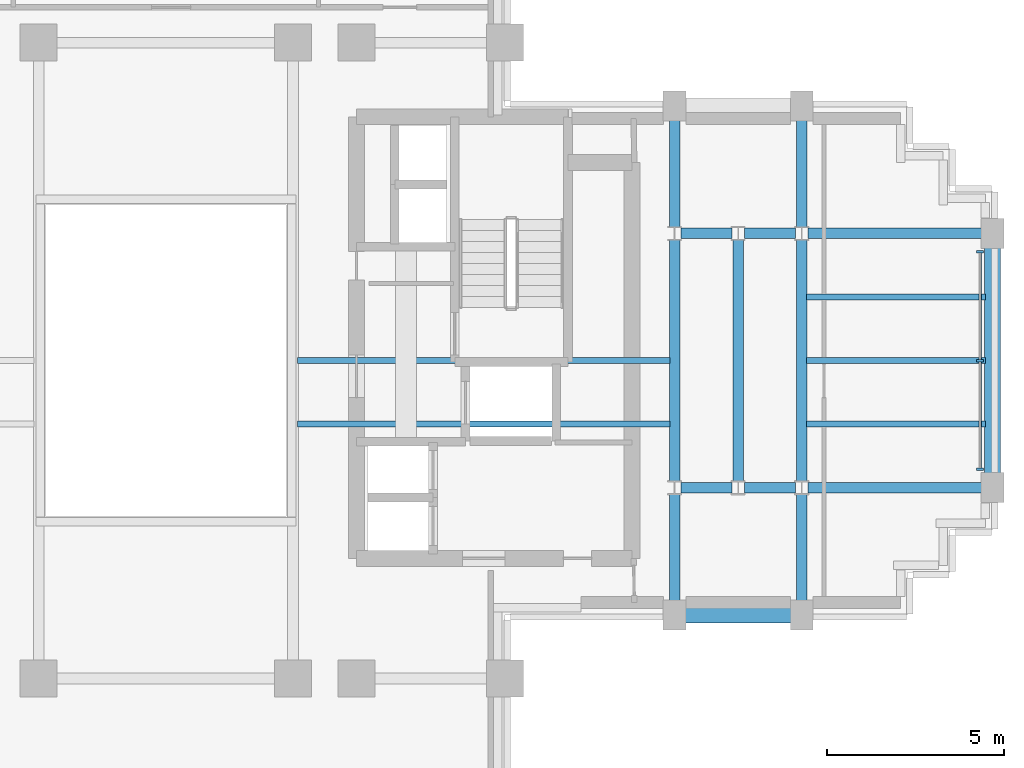
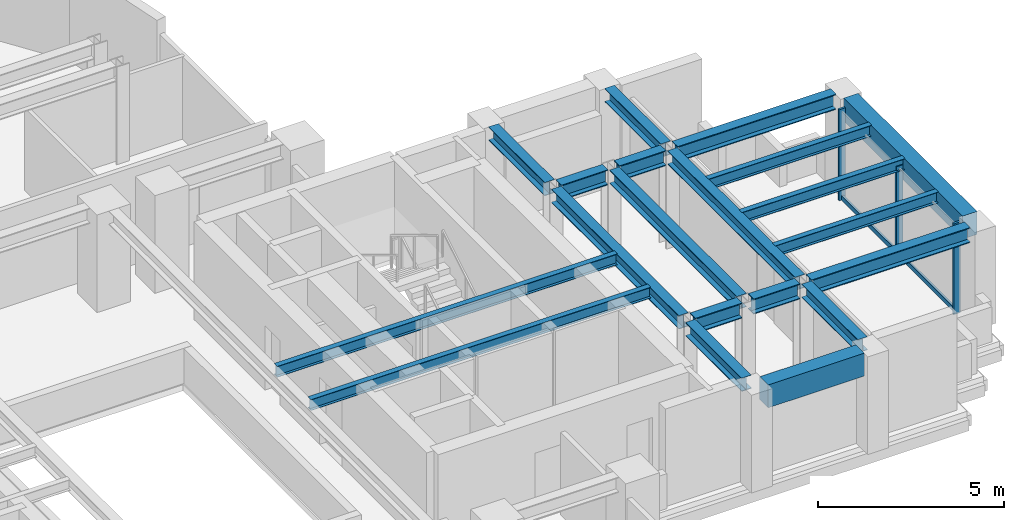
# One storey, part 5 of 13: 20 beams, 5 members, 1 element without a shape of its own.
"""IFC4 building model written with IfcOpenShell, lengths in metres."""

from ifc_helpers import new_model, si_unit, direction, frame, origin, origin_2d, place, context, subcontext, project, spatial, rectangle, i_section, extrude, source, transform, mapped, material, material_profile, profile_set, type_object, element, aggregate, save


model = new_model("IFC4")

# Units and contexts
model_context = context("Model", 3, precision=1e-05, world=origin(), true_north=direction((0.0, 1.0)))
body_context = subcontext(model_context, "Body", "Model", "MODEL_VIEW")
ifc_project = project(units=[si_unit("LENGTHUNIT", "METRE"), si_unit("AREAUNIT", "SQUARE_METRE"), si_unit("VOLUMEUNIT", "CUBIC_METRE"), si_unit("PLANEANGLEUNIT", "RADIAN"), si_unit("MASSUNIT", "GRAM", prefix="KILO")], contexts=[model_context])

# Site, building, storey
site_placement = place(None, origin())
site = spatial("IfcSite", under=ifc_project, at=site_placement, CompositionType="ELEMENT")
building_placement = place(site_placement, origin())
building = spatial("IfcBuilding", under=site, at=building_placement, Name="Keilestroom Media Tower", CompositionType="ELEMENT")
storey_placement = place(building_placement, frame((0.0, 0.0, 138.0)))
storey = spatial("IfcBuildingStorey", under=building, at=storey_placement, Name="L37", CompositionType="ELEMENT", Elevation=138.0)

# Beams
ifc_material_1 = material(Name="Steel S355", Category="steel")
ifc_material_profile_1 = material_profile(ifc_material_1, i_section(OverallWidth=0.169921875, OverallDepth=0.360107421875, WebThickness=0.008056640625, FlangeThickness=0.0126953125, at=origin_2d()), Name="IPE 360")
ifc_profile_set_1 = profile_set([ifc_material_profile_1], Name="Steel S355")
beam_type_1 = type_object("IfcBeamType", Name="Secondary-Floor-Joist-IPE-360", PredefinedType="JOIST", material=ifc_profile_set_1)
shared_shape_1 = source(origin(), body_context, "Body", "SweptSolid", [
    extrude(i_section(OverallWidth=0.169921875, OverallDepth=0.360107421875, WebThickness=0.008056640625, FlangeThickness=0.0126953125, at=origin_2d()), origin(), (0.0, 0.0, 1.0), 10.5400390625),
])
for number, where, z_axis, x_axis, name in (
    (1, (3.72998046875, -1.800048828125, 3.02001953125), (1.0, 0.0, 0.0), (0.0, 1.0, 0.0), "L37 Beam BJ-5 JST-L37-074"),
    (2, (3.72998046875, 0.0, 3.02001953125), (1.0, 0.0, 0.0), (0.0, 1.0, 0.0), "L37 Beam BJ-5 JST-L37-079"),
):
    element("IfcBeam", number, at=place(storey_placement, frame(where, z_axis=z_axis, x_axis=x_axis)), inside=storey, type_object=beam_type_1, Name=name, PredefinedType="JOIST", context=body_context, shape_type="MappedRepresentation", body=[
        mapped(shared_shape_1, transform((0.0, 0.0, 0.0), x_axis=(1.0, 0.0, 0.0), y_axis=(0.0, 1.0, 0.0), z_axis=(0.0, 0.0, 1.0), scale=1.0)),
    ])
ifc_material_2 = material(Name="Precast concrete C40/50", Category="concrete")
ifc_material_profile_2 = material_profile(ifc_material_2, rectangle(XDim=0.449951171875, YDim=0.75, at=origin_2d()), Name="PC 450x750")
ifc_profile_set_2 = profile_set([ifc_material_profile_2], Name="Precast concrete C40/50")
beam_type_2 = type_object("IfcBeamType", Name="Perimeter-Spandrel-Beam-PC-450x750", PredefinedType="SPANDREL", material=ifc_profile_set_2)
shared_shape_2 = source(origin(), body_context, "Body", "SweptSolid", [
    extrude(rectangle(XDim=0.449951171875, YDim=0.75, at=origin_2d()), origin(), (0.0, 0.0, 1.0), 2.989990234375),
])
beam_1_placement = place(storey_placement, frame((14.705078125, -7.199951171875, 2.824951171875), z_axis=(1.0, 0.0, 0.0), x_axis=(0.0, 1.0, 0.0)))
element("IfcBeam", 3, at=beam_1_placement, inside=storey, type_object=beam_type_2, Name="L37 Beam SPB-1 BM-L37-EW-013", PredefinedType="SPANDREL", context=body_context, shape_type="MappedRepresentation", body=[
    mapped(shared_shape_2, transform((0.0, 0.0, 0.0), x_axis=(1.0, 0.0, 0.0), y_axis=(0.0, 1.0, 0.0), z_axis=(0.0, 0.0, 1.0), scale=1.0)),
])
ifc_material_profile_3 = material_profile(ifc_material_1, i_section(OverallWidth=0.300048828125, OverallDepth=0.5, WebThickness=0.012451171875, FlangeThickness=0.028076171875, at=origin_2d()), Name="HEB 500")
ifc_profile_set_3 = profile_set([ifc_material_profile_3], Name="Steel S355")
beam_type_3 = type_object("IfcBeamType", Name="Primary-Structural-Girder-HEB-500", PredefinedType="BEAM", material=ifc_profile_set_3)
shared_shape_3 = source(origin(), body_context, "Body", "SweptSolid", [
    extrude(i_section(OverallWidth=0.300048828125, OverallDepth=0.5, WebThickness=0.012451171875, FlangeThickness=0.028076171875, at=origin_2d()), origin(), (0.0, 0.0, 1.0), 4.91455078125),
])
for number, where, z_axis, x_axis, name in (
    (4, (18.180419921875, -3.60009765625, 2.949951171875), (1.0, 0.0, 0.0), (0.0, 1.0, 0.0), "L37 Beam BG-6 BM-L37-EW-019"),
    (5, (18.180419921875, 3.60009765625, 2.949951171875), (1.0, 0.0, 0.0), (0.0, 1.0, 0.0), "L37 Beam BG-6 BM-L37-EW-025"),
):
    element("IfcBeam", number, at=place(storey_placement, frame(where, z_axis=z_axis, x_axis=x_axis)), inside=storey, type_object=beam_type_3, Name=name, PredefinedType="BEAM", context=body_context, shape_type="MappedRepresentation", body=[
        mapped(shared_shape_3, transform((0.0, 0.0, 0.0), x_axis=(1.0, 0.0, 0.0), y_axis=(0.0, 1.0, 0.0), z_axis=(0.0, 0.0, 1.0), scale=1.0)),
    ])
shared_shape_4 = source(origin(), body_context, "Body", "SweptSolid", [
    extrude(i_section(OverallWidth=0.300048828125, OverallDepth=0.5, WebThickness=0.012451171875, FlangeThickness=0.028076171875, at=origin_2d()), origin(), (0.0, 0.0, 1.0), 1.43896484375),
])
for number, where, z_axis, x_axis, name in (
    (6, (14.58056640625, -3.60009765625, 2.949951171875), (1.0, 0.0, 0.0), (0.0, 1.0, 0.0), "L37 Beam BG-6 BM-L37-EW-017"),
    (7, (16.380615234375, -3.60009765625, 2.949951171875), (1.0, 0.0, 0.0), (0.0, 1.0, 0.0), "L37 Beam BG-6 BM-L37-EW-018"),
    (8, (14.58056640625, 3.60009765625, 2.949951171875), (1.0, 0.0, 0.0), (0.0, 1.0, 0.0), "L37 Beam BG-6 BM-L37-EW-023"),
    (9, (16.380615234375, 3.60009765625, 2.949951171875), (1.0, 0.0, 0.0), (0.0, 1.0, 0.0), "L37 Beam BG-6 BM-L37-EW-024"),
):
    element("IfcBeam", number, at=place(storey_placement, frame(where, z_axis=z_axis, x_axis=x_axis)), inside=storey, type_object=beam_type_3, Name=name, PredefinedType="BEAM", context=body_context, shape_type="MappedRepresentation", body=[
        mapped(shared_shape_4, transform((0.0, 0.0, 0.0), x_axis=(1.0, 0.0, 0.0), y_axis=(0.0, 1.0, 0.0), z_axis=(0.0, 0.0, 1.0), scale=1.0)),
    ])
shared_shape_5 = source(origin(), body_context, "Body", "SweptSolid", [
    extrude(rectangle(XDim=0.449951171875, YDim=0.75, at=origin_2d()), origin(), (0.0, 0.0, 1.0), 6.39013671875),
])
beam_2_placement = place(storey_placement, frame((23.39990234375, -3.195068359375, 2.824951171875), z_axis=(0.0, 1.0, 0.0), x_axis=(-1.0, 0.0, 0.0)))
element("IfcBeam", 10, at=beam_2_placement, inside=storey, type_object=beam_type_2, Name="L37 Beam SPB-1 BM-L37-NS-068", PredefinedType="SPANDREL", context=body_context, shape_type="MappedRepresentation", body=[
    mapped(shared_shape_5, transform((0.0, 0.0, 0.0), x_axis=(1.0, 0.0, 0.0), y_axis=(0.0, 1.0, 0.0), z_axis=(0.0, 0.0, 1.0), scale=1.0)),
])
shared_shape_6 = source(origin(), body_context, "Body", "SweptSolid", [
    extrude(i_section(OverallWidth=0.169921875, OverallDepth=0.360107421875, WebThickness=0.008056640625, FlangeThickness=0.0126953125, at=origin_2d()), origin(), (0.0, 0.0, 1.0), 5.065185546875),
])
for number, where, z_axis, x_axis, name in (
    (11, (18.1298828125, -1.800048828125, 3.02001953125), (1.0, 0.0, 0.0), (0.0, 1.0, 0.0), "L37 Beam BJ-5 JST-L37-075"),
    (12, (18.1298828125, 0.0, 3.02001953125), (1.0, 0.0, 0.0), (0.0, 1.0, 0.0), "L37 Beam BJ-5 JST-L37-080"),
    (13, (18.1298828125, 1.800048828125, 3.02001953125), (1.0, 0.0, 0.0), (0.0, 1.0, 0.0), "L37 Beam BJ-5 JST-L37-085"),
):
    element("IfcBeam", number, at=place(storey_placement, frame(where, z_axis=z_axis, x_axis=x_axis)), inside=storey, type_object=beam_type_1, Name=name, PredefinedType="JOIST", context=body_context, shape_type="MappedRepresentation", body=[
        mapped(shared_shape_6, transform((0.0, 0.0, 0.0), x_axis=(1.0, 0.0, 0.0), y_axis=(0.0, 1.0, 0.0), z_axis=(0.0, 0.0, 1.0), scale=1.0)),
    ])
ifc_material_profile_4 = material_profile(ifc_material_1, i_section(OverallWidth=0.300048828125, OverallDepth=0.43994140625, WebThickness=0.011474609375, FlangeThickness=0.02099609375, at=origin_2d()), Name="HEA 450")
ifc_profile_set_4 = profile_set([ifc_material_profile_4], Name="Steel S355")
beam_type_4 = type_object("IfcBeamType", Name="Primary-Structural-Girder-HEA-450", PredefinedType="BEAM", material=ifc_profile_set_4)
shared_shape_7 = source(origin(), body_context, "Body", "SweptSolid", [
    extrude(i_section(OverallWidth=0.300048828125, OverallDepth=0.43994140625, WebThickness=0.011474609375, FlangeThickness=0.02099609375, at=origin_2d()), origin(), (0.0, 0.0, 1.0), 3.015380859375),
])
for number, where, z_axis, x_axis, name in (
    (14, (14.39990234375, -6.794921875, 2.97998046875), (0.0, 1.0, 0.0), (-1.0, 0.0, 0.0), "L37 Beam BG-11 BM-L37-NS-061"),
    (15, (14.39990234375, 3.779541015625, 2.97998046875), (0.0, 1.0, 0.0), (-1.0, 0.0, 0.0), "L37 Beam BG-11 BM-L37-NS-063"),
    (16, (18.0, -6.794921875, 2.97998046875), (0.0, 1.0, 0.0), (-1.0, 0.0, 0.0), "L37 Beam BG-11 BM-L37-NS-065"),
    (17, (18.0, 3.779541015625, 2.97998046875), (0.0, 1.0, 0.0), (-1.0, 0.0, 0.0), "L37 Beam BG-11 BM-L37-NS-067"),
):
    element("IfcBeam", number, at=place(storey_placement, frame(where, z_axis=z_axis, x_axis=x_axis)), inside=storey, type_object=beam_type_4, Name=name, PredefinedType="BEAM", context=body_context, shape_type="MappedRepresentation", body=[
        mapped(shared_shape_7, transform((0.0, 0.0, 0.0), x_axis=(1.0, 0.0, 0.0), y_axis=(0.0, 1.0, 0.0), z_axis=(0.0, 0.0, 1.0), scale=1.0)),
    ])
shared_shape_8 = source(origin(), body_context, "Body", "SweptSolid", [
    extrude(i_section(OverallWidth=0.300048828125, OverallDepth=0.43994140625, WebThickness=0.011474609375, FlangeThickness=0.02099609375, at=origin_2d()), origin(), (0.0, 0.0, 1.0), 6.8408203125),
])
for number, where, z_axis, x_axis, name in (
    (18, (14.39990234375, -3.42041015625, 2.97998046875), (0.0, 1.0, 0.0), (-1.0, 0.0, 0.0), "L37 Beam BG-11 BM-L37-NS-062"),
    (19, (16.199951171875, -3.42041015625, 2.97998046875), (0.0, 1.0, 0.0), (-1.0, 0.0, 0.0), "L37 Beam BG-11 BM-L37-NS-064"),
    (20, (18.0, -3.42041015625, 2.97998046875), (0.0, 1.0, 0.0), (-1.0, 0.0, 0.0), "L37 Beam BG-11 BM-L37-NS-066"),
):
    element("IfcBeam", number, at=place(storey_placement, frame(where, z_axis=z_axis, x_axis=x_axis)), inside=storey, type_object=beam_type_4, Name=name, PredefinedType="BEAM", context=body_context, shape_type="MappedRepresentation", body=[
        mapped(shared_shape_8, transform((0.0, 0.0, 0.0), x_axis=(1.0, 0.0, 0.0), y_axis=(0.0, 1.0, 0.0), z_axis=(0.0, 0.0, 1.0), scale=1.0)),
    ])

# Curtain wall, members
ifc_material_3 = material(Name="Anodised Aluminium Alloy", Category="aluminium")
curtain_wall_type = type_object("IfcCurtainWallType", Name="Unitised-Curtain-Wall-CW-2", PredefinedType="NOTDEFINED", material=ifc_material_3)
curtain_wall_placement = place(storey_placement, origin())
curtain_wall = element("IfcCurtainWall", 21, at=curtain_wall_placement, inside=storey, type_object=curtain_wall_type, Name="L37 Curtain Wall CW-2 CW-L37-E-1", PredefinedType="NOTDEFINED")
ifc_material_profile_5 = material_profile(ifc_material_3, rectangle(XDim=0.070068359375, YDim=0.199951171875, at=origin_2d()), Name="ALU MULLION 70x200")
ifc_profile_set_5 = profile_set([ifc_material_profile_5], Name="Anodised Aluminium Alloy")
member_type_1 = type_object("IfcMemberType", Name="Curtain-Wall-Mullion-CW-2", PredefinedType="MULLION", material=ifc_profile_set_5)
shared_shape_9 = source(origin(), body_context, "Body", "SweptSolid", [
    extrude(rectangle(XDim=0.070068359375, YDim=0.199951171875, at=origin_2d()), origin(), (0.0, 0.0, 1.0), 2.97998046875),
])
member_1_placement = place(storey_placement, frame((23.050048828125, -3.080078125, 0.0), z_axis=(0.0, 0.0, 1.0), x_axis=(0.0, 1.0, 0.0)))
member_1 = element("IfcMember", 22, at=member_1_placement, type_object=member_type_1, Name="CW-2 Mullion 00", PredefinedType="MULLION", context=body_context, shape_type="MappedRepresentation", body=[
    mapped(shared_shape_9, transform((0.0, 0.0, 0.0), x_axis=(1.0, 0.0, 0.0), y_axis=(0.0, 1.0, 0.0), z_axis=(0.0, 0.0, 1.0), scale=1.0)),
])
member_2_placement = place(storey_placement, frame((23.050048828125, 0.0, 0.0), z_axis=(0.0, 0.0, 1.0), x_axis=(0.0, 1.0, 0.0)))
member_2 = element("IfcMember", 23, at=member_2_placement, type_object=member_type_1, Name="CW-2 Mullion 01", PredefinedType="MULLION", context=body_context, shape_type="MappedRepresentation", body=[
    mapped(shared_shape_9, transform((0.0, 0.0, 0.0), x_axis=(1.0, 0.0, 0.0), y_axis=(0.0, 1.0, 0.0), z_axis=(0.0, 0.0, 1.0), scale=1.0)),
])
member_3_placement = place(storey_placement, frame((23.050048828125, 3.080078125, 0.0), z_axis=(0.0, 0.0, 1.0), x_axis=(0.0, 1.0, 0.0)))
member_3 = element("IfcMember", 24, at=member_3_placement, type_object=member_type_1, Name="CW-2 Mullion 02", PredefinedType="MULLION", context=body_context, shape_type="MappedRepresentation", body=[
    mapped(shared_shape_9, transform((0.0, 0.0, 0.0), x_axis=(1.0, 0.0, 0.0), y_axis=(0.0, 1.0, 0.0), z_axis=(0.0, 0.0, 1.0), scale=1.0)),
])
ifc_material_profile_6 = material_profile(ifc_material_3, rectangle(XDim=0.06494140625, YDim=0.14990234375, at=origin_2d()), Name="ALU TRANSOM 65x150")
ifc_profile_set_6 = profile_set([ifc_material_profile_6], Name="Anodised Aluminium Alloy")
member_type_2 = type_object("IfcMemberType", Name="Curtain-Wall-Transom-CW-2", PredefinedType="USERDEFINED", material=ifc_profile_set_6)
shared_shape_10 = source(origin(), body_context, "Body", "SweptSolid", [
    extrude(rectangle(XDim=0.06494140625, YDim=0.14990234375, at=origin_2d()), origin(), (0.0, 0.0, 1.0), 3.01416015625),
])
member_4_placement = place(storey_placement, frame((23.050048828125, -3.047119140625, 0.074951171875), z_axis=(0.0, 1.0, 0.0), x_axis=(-1.0, 0.0, 0.0)))
member_4 = element("IfcMember", 25, at=member_4_placement, type_object=member_type_2, Name="CW-2 Transom 00.1", ObjectType="TRANSOM", PredefinedType="USERDEFINED", context=body_context, shape_type="MappedRepresentation", body=[
    mapped(shared_shape_10, transform((0.0, 0.0, 0.0), x_axis=(1.0, 0.0, 0.0), y_axis=(0.0, 1.0, 0.0), z_axis=(0.0, 0.0, 1.0), scale=1.0)),
])
member_5_placement = place(storey_placement, frame((23.050048828125, 0.032958984375, 0.074951171875), z_axis=(0.0, 1.0, 0.0), x_axis=(-1.0, 0.0, 0.0)))
member_5 = element("IfcMember", 26, at=member_5_placement, type_object=member_type_2, Name="CW-2 Transom 01.1", ObjectType="TRANSOM", PredefinedType="USERDEFINED", context=body_context, shape_type="MappedRepresentation", body=[
    mapped(shared_shape_10, transform((0.0, 0.0, 0.0), x_axis=(1.0, 0.0, 0.0), y_axis=(0.0, 1.0, 0.0), z_axis=(0.0, 0.0, 1.0), scale=1.0)),
])
aggregate(curtain_wall, [member_1, member_2, member_3, member_4, member_5])

save(model, "model.ifc")
